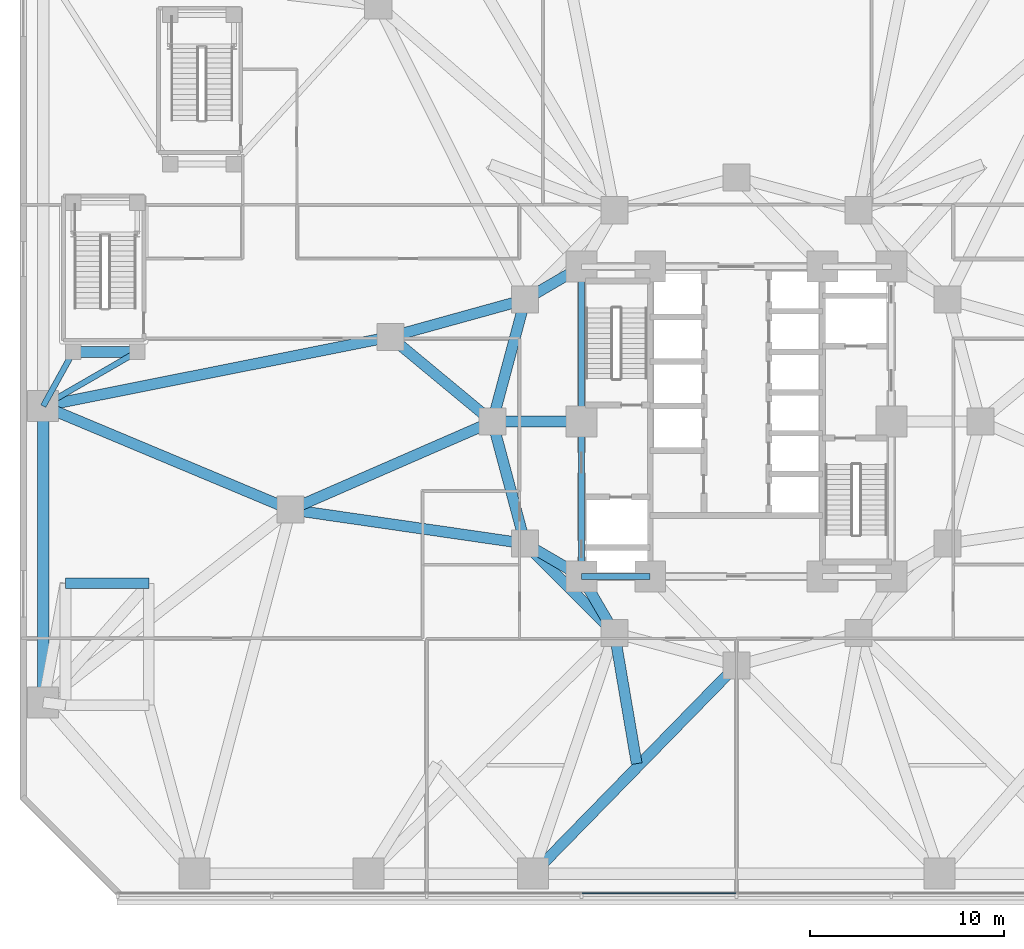
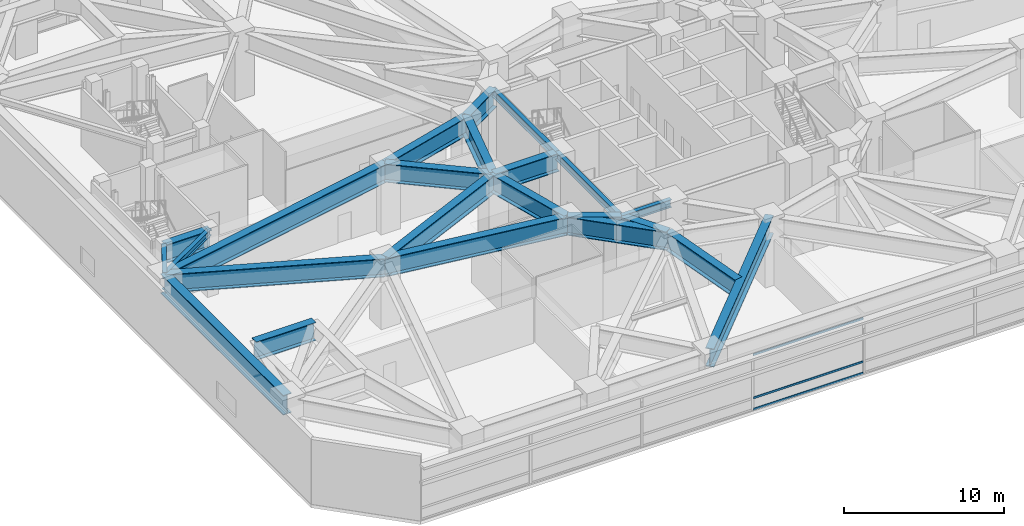
# One storey, part 6 of 27: 23 beams, 3 members, 1 element without a shape of its own.
"""IFC4 building model written with IfcOpenShell, lengths in metres."""

from ifc_helpers import new_model, si_unit, direction, frame, origin, origin_2d, place, context, subcontext, project, spatial, rectangle, i_section, extrude, material, layer, layer_set, material_profile, profile_set, type_object, element, aggregate, save


model = new_model("IFC4")

# Units and contexts
model_context = context("Model", 3, precision=1e-05, world=origin(), true_north=direction((0.0, 1.0)))
body_context = subcontext(model_context, "Body", "Model", "MODEL_VIEW")
ifc_project = project(units=[si_unit("LENGTHUNIT", "METRE"), si_unit("AREAUNIT", "SQUARE_METRE"), si_unit("VOLUMEUNIT", "CUBIC_METRE"), si_unit("PLANEANGLEUNIT", "RADIAN"), si_unit("MASSUNIT", "GRAM", prefix="KILO")], contexts=[model_context])

# Site, building, storey
site_placement = place(None, origin())
site = spatial("IfcSite", under=ifc_project, at=site_placement, CompositionType="ELEMENT")
building_placement = place(site_placement, origin())
building = spatial("IfcBuilding", under=site, at=building_placement, Name="Terralouvre Media Tower", CompositionType="ELEMENT")
storey_placement = place(building_placement, frame((0.0, 0.0, 20.800048828125)))
storey = spatial("IfcBuildingStorey", under=building, at=storey_placement, Name="L04", CompositionType="ELEMENT", Elevation=20.800048828125)

# Curtain wall, members
ifc_material_1 = material(Name="Low-iron laminated double glazing with solar-control coating", Category="glass")
ifc_layer = layer(ifc_material_1, 0.1650390625, Name="Podium Broadcast Gallery Glazing CW-01")
ifc_layer_set = layer_set([ifc_layer], Name="Low-iron laminated double glazing with solar-control coating")
curtain_wall_type = type_object("IfcCurtainWallType", Name="Podium Broadcast Gallery Glazing CW-01", PredefinedType="NOTDEFINED", material=ifc_layer_set)
curtain_wall_placement = place(storey_placement, origin())
curtain_wall = element("IfcCurtainWall", 1, at=curtain_wall_placement, inside=storey, type_object=curtain_wall_type, Name="L04 Podium Curtain Wall F0", PredefinedType="NOTDEFINED")
ifc_material_2 = material(Name="Anodised extruded aluminium 6063-T6", Category="aluminium")
ifc_material_profile_1 = material_profile(ifc_material_2, rectangle(XDim=0.074951171875, YDim=0.14990234375, at=origin_2d()), Name="ALU 75x150")
ifc_profile_set_1 = profile_set([ifc_material_profile_1], Name="Anodised extruded aluminium 6063-T6")
member_type = type_object("IfcMemberType", Name="Curtain-Wall Horizontal Transom TR-150", PredefinedType="USERDEFINED", material=ifc_profile_set_1)
member_1_placement = place(storey_placement, frame((-7.96240234375, -24.360107421875, 0.037353515625), z_axis=(1.0, 0.0, 0.0), x_axis=(0.0, 1.0, 0.0)))
member_1 = element("IfcMember", 2, at=member_1_placement, type_object=member_type, Name="CW-01 transom 4.1", ObjectType="TRANSOM", PredefinedType="USERDEFINED", context=body_context, shape_type="SweptSolid", body=[
    extrude(rectangle(XDim=0.074951171875, YDim=0.14990234375, at=origin_2d()), origin(), (0.0, 0.0, 1.0), 7.9248046875),
])
member_2_placement = place(storey_placement, frame((-7.96240234375, -24.360107421875, 0.89990234375), z_axis=(1.0, 0.0, 0.0), x_axis=(0.0, 1.0, 0.0)))
member_2 = element("IfcMember", 3, at=member_2_placement, type_object=member_type, Name="CW-01 transom 4.2", ObjectType="TRANSOM", PredefinedType="USERDEFINED", context=body_context, shape_type="SweptSolid", body=[
    extrude(rectangle(XDim=0.074951171875, YDim=0.14990234375, at=origin_2d()), origin(), (0.0, 0.0, 1.0), 7.9248046875),
])
member_3_placement = place(storey_placement, frame((-7.96240234375, -24.360107421875, 4.182373046875), z_axis=(1.0, 0.0, 0.0), x_axis=(0.0, 1.0, 0.0)))
member_3 = element("IfcMember", 4, at=member_3_placement, type_object=member_type, Name="CW-01 transom 4.3", ObjectType="TRANSOM", PredefinedType="USERDEFINED", context=body_context, shape_type="SweptSolid", body=[
    extrude(rectangle(XDim=0.074951171875, YDim=0.14990234375, at=origin_2d()), origin(), (0.0, 0.0, 1.0), 7.9248046875),
])
aggregate(curtain_wall, [member_1, member_2, member_3])

# Beams
ifc_material_3 = material(Name="Structural steel S355J2", Category="steel")
ifc_material_profile_2 = material_profile(ifc_material_3, i_section(OverallWidth=0.300048828125, OverallDepth=0.5, WebThickness=0.014404296875, FlangeThickness=0.028076171875, at=origin_2d()), Name="HEB 500")
ifc_profile_set_2 = profile_set([ifc_material_profile_2], Name="Structural steel S355J2")
beam_type_1 = type_object("IfcBeamType", Name="Primary Floor Girder B-HEB500 (HEB 500)", PredefinedType="BEAM", material=ifc_profile_set_2)
beam_1_placement = place(storey_placement, frame((-34.25, 3.60009765625, 4.68994140625), z_axis=(-0.484321096397, -0.874890322032, 0.0), x_axis=(0.874890322032, -0.484321096397, 0.0)))
element("IfcBeam", 5, at=beam_1_placement, inside=storey, type_object=beam_type_1, Name="L04 Framing Beam BM-L04-PVTST31", PredefinedType="BEAM", context=body_context, shape_type="SweptSolid", body=[
    extrude(i_section(OverallWidth=0.300048828125, OverallDepth=0.5, WebThickness=0.014404296875, FlangeThickness=0.028076171875, at=origin_2d()), origin(), (0.0, 0.0, 1.0), 3.200439453125),
])
beam_2_placement = place(storey_placement, frame((-30.949951171875, 3.60009765625, 4.68994140625), z_axis=(-0.866037493094, -0.499979060117, 0.0), x_axis=(0.499979060117, -0.866037493094, 0.0)))
element("IfcBeam", 6, at=beam_2_placement, inside=storey, type_object=beam_type_1, Name="L04 Framing Beam BM-L04-PVTST32", PredefinedType="BEAM", context=body_context, shape_type="SweptSolid", body=[
    extrude(i_section(OverallWidth=0.300048828125, OverallDepth=0.5, WebThickness=0.014404296875, FlangeThickness=0.028076171875, at=origin_2d()), origin(), (0.0, 0.0, 1.0), 5.600341796875),
])
ifc_material_4 = material(Name="Structural steel S460M", Category="steel")
ifc_material_profile_3 = material_profile(ifc_material_4, i_section(OverallWidth=0.300048828125, OverallDepth=0.60009765625, WebThickness=0.015380859375, FlangeThickness=0.030029296875, at=origin_2d()), Name="HEB 600")
ifc_profile_set_3 = profile_set([ifc_material_profile_3], Name="Structural steel S460M")
beam_type_2 = type_object("IfcBeamType", Name="Primary Floor Girder B-HEB600 (HEB 600)", PredefinedType="BEAM", material=ifc_profile_set_3)
beam_3_placement = place(storey_placement, frame((-8.0, -8.0, 4.639892578125), z_axis=(1.0, 0.0, 0.0), x_axis=(0.0, 1.0, 0.0)))
element("IfcBeam", 7, at=beam_3_placement, inside=storey, type_object=beam_type_2, Name="L04 Framing Beam BM-L04-CPR01", PredefinedType="BEAM", context=body_context, shape_type="SweptSolid", body=[
    extrude(i_section(OverallWidth=0.300048828125, OverallDepth=0.60009765625, WebThickness=0.015380859375, FlangeThickness=0.030029296875, at=origin_2d()), origin(), (0.0, 0.0, 1.0), 3.550048828125),
])
for number, where, z_axis, x_axis, name in (
    (8, (-8.0, 8.0, 4.639892578125), (0.0, -1.0, 0.0), (1.0, 0.0, 0.0), "L04 Framing Beam BM-L04-CPR09"),
    (9, (-8.0, 0.0, 4.639892578125), (0.0, -1.0, 0.0), (1.0, 0.0, 0.0), "L04 Framing Beam BM-L04-CPR10"),
):
    element("IfcBeam", number, at=place(storey_placement, frame(where, z_axis=z_axis, x_axis=x_axis)), inside=storey, type_object=beam_type_2, Name=name, PredefinedType="BEAM", context=body_context, shape_type="SweptSolid", body=[
        extrude(i_section(OverallWidth=0.300048828125, OverallDepth=0.60009765625, WebThickness=0.015380859375, FlangeThickness=0.030029296875, at=origin_2d()), origin(), (0.0, 0.0, 1.0), 8.0),
    ])
ifc_material_5 = material(Name="Structural steel S460M", Category="steel")
ifc_material_profile_4 = material_profile(ifc_material_5, i_section(OverallWidth=0.56005859375, OverallDepth=1.39990234375, WebThickness=0.031982421875, FlangeThickness=0.050048828125, at=origin_2d()), Name="TG 1400x560")
ifc_profile_set_4 = profile_set([ifc_material_profile_4], Name="Structural steel S460M")
beam_type_3 = type_object("IfcBeamType", Name="Welded Transfer Girder TG-1400 (TG 1400x560)", PredefinedType="USERDEFINED", material=ifc_profile_set_4)
beam_4_placement = place(storey_placement, frame((-34.25, 3.60009765625, 4.239990234375), z_axis=(1.0, 0.0, 0.0), x_axis=(0.0, 1.0, 0.0)))
element("IfcBeam", 10, at=beam_4_placement, inside=storey, type_object=beam_type_3, Name="L04 Framing Beam BM-L04-PVST31", ObjectType="TRANSFER GIRDER", PredefinedType="USERDEFINED", context=body_context, shape_type="SweptSolid", body=[
    extrude(i_section(OverallWidth=0.56005859375, OverallDepth=1.39990234375, WebThickness=0.031982421875, FlangeThickness=0.050048828125, at=origin_2d()), origin(), (0.0, 0.0, 1.0), 3.300048828125),
])
beam_5_placement = place(storey_placement, frame((-10.911865234375, -6.300048828125, 4.239990234375), z_axis=(0.707106781187, -0.707106781187, 0.0), x_axis=(0.707106781187, 0.707106781187, 0.0)))
element("IfcBeam", 11, at=beam_5_placement, inside=storey, type_object=beam_type_3, Name="L04 Framing Beam BM-L04-MR01", ObjectType="TRANSFER GIRDER", PredefinedType="USERDEFINED", context=body_context, shape_type="SweptSolid", body=[
    extrude(i_section(OverallWidth=0.56005859375, OverallDepth=1.39990234375, WebThickness=0.031982421875, FlangeThickness=0.050048828125, at=origin_2d()), origin(), (0.0, 0.0, 1.0), 6.52197265625),
])
for number, where, z_axis, x_axis, name in (
    (12, (-10.911865234375, 6.300048828125, 4.239990234375), (-0.258838989821, -0.965920481897, 0.0), (0.965920481897, -0.258838989821, 0.0), "L04 Framing Beam BM-L04-MR11"),
    (13, (-12.60009765625, 0.0, 4.239990234375), (0.258838989821, -0.965920481897, 0.0), (0.965920481897, 0.258838989821, 0.0), "L04 Framing Beam BM-L04-MR12"),
):
    element("IfcBeam", number, at=place(storey_placement, frame(where, z_axis=z_axis, x_axis=x_axis)), inside=storey, type_object=beam_type_3, Name=name, ObjectType="TRANSFER GIRDER", PredefinedType="USERDEFINED", context=body_context, shape_type="SweptSolid", body=[
        extrude(i_section(OverallWidth=0.56005859375, OverallDepth=1.39990234375, WebThickness=0.031982421875, FlangeThickness=0.050048828125, at=origin_2d()), origin(), (0.0, 0.0, 1.0), 6.522216796875),
    ])
for number, where, z_axis, x_axis, name in (
    (14, (-8.0, -8.0, 4.239990234375), (-0.863602894532, 0.504172629717, 0.0), (-0.504172629717, -0.863602894532, 0.0), "L04 Framing Beam BM-L04-CM01"),
    (15, (-8.0, -8.0, 4.239990234375), (0.504172629717, -0.863602894532, 0.0), (0.863602894532, 0.504172629717, 0.0), "L04 Framing Beam BM-L04-CM02"),
    (16, (-8.0, 8.0, 4.239990234375), (-0.863602894532, -0.504172629717, 0.0), (0.504172629717, -0.863602894532, 0.0), "L04 Framing Beam BM-L04-CM11"),
):
    element("IfcBeam", number, at=place(storey_placement, frame(where, z_axis=z_axis, x_axis=x_axis)), inside=storey, type_object=beam_type_3, Name=name, ObjectType="TRANSFER GIRDER", PredefinedType="USERDEFINED", context=body_context, shape_type="SweptSolid", body=[
        extrude(i_section(OverallWidth=0.56005859375, OverallDepth=1.39990234375, WebThickness=0.031982421875, FlangeThickness=0.050048828125, at=origin_2d()), origin(), (0.0, 0.0, 1.0), 3.371826171875),
    ])
beam_6_placement = place(storey_placement, frame((-8.0, 0.0, 4.239990234375), z_axis=(-1.0, 0.0, 0.0), x_axis=(0.0, -1.0, 0.0)))
element("IfcBeam", 17, at=beam_6_placement, inside=storey, type_object=beam_type_3, Name="L04 Framing Beam BM-L04-CM12", ObjectType="TRANSFER GIRDER", PredefinedType="USERDEFINED", context=body_context, shape_type="SweptSolid", body=[
    extrude(i_section(OverallWidth=0.56005859375, OverallDepth=1.39990234375, WebThickness=0.031982421875, FlangeThickness=0.050048828125, at=origin_2d()), origin(), (0.0, 0.0, 1.0), 4.60009765625),
])
beam_7_placement = place(storey_placement, frame((-12.60009765625, 0.0, 4.239990234375), z_axis=(-0.769816459478, 0.638265320001, 0.0), x_axis=(-0.638265320001, -0.769816459478, 0.0)))
element("IfcBeam", 18, at=beam_7_placement, inside=storey, type_object=beam_type_3, Name="L04 Framing Beam BM-L04-PM23M1", ObjectType="TRANSFER GIRDER", PredefinedType="USERDEFINED", context=body_context, shape_type="SweptSolid", body=[
    extrude(i_section(OverallWidth=0.56005859375, OverallDepth=1.39990234375, WebThickness=0.031982421875, FlangeThickness=0.050048828125, at=origin_2d()), origin(), (0.0, 0.0, 1.0), 6.851806640625),
])
beam_8_placement = place(storey_placement, frame((-10.911865234375, 6.300048828125, 4.239990234375), z_axis=(-0.963780816717, -0.266695589254, 0.0), x_axis=(0.266695589254, -0.963780816717, 0.0)))
element("IfcBeam", 19, at=beam_8_placement, inside=storey, type_object=beam_type_3, Name="L04 Framing Beam BM-L04-PM23M2", ObjectType="TRANSFER GIRDER", PredefinedType="USERDEFINED", context=body_context, shape_type="SweptSolid", body=[
    extrude(i_section(OverallWidth=0.56005859375, OverallDepth=1.39990234375, WebThickness=0.031982421875, FlangeThickness=0.050048828125, at=origin_2d()), origin(), (0.0, 0.0, 1.0), 7.224609375),
])
beam_9_placement = place(storey_placement, frame((-12.60009765625, 0.0, 4.239990234375), z_axis=(-0.916615903868, -0.399769039291, 0.0), x_axis=(0.399769039291, -0.916615903868, 0.0)))
element("IfcBeam", 20, at=beam_9_placement, inside=storey, type_object=beam_type_3, Name="L04 Framing Beam BM-L04-PM24M1", ObjectType="TRANSFER GIRDER", PredefinedType="USERDEFINED", context=body_context, shape_type="SweptSolid", body=[
    extrude(i_section(OverallWidth=0.56005859375, OverallDepth=1.39990234375, WebThickness=0.031982421875, FlangeThickness=0.050048828125, at=origin_2d()), origin(), (0.0, 0.0, 1.0), 11.373046875),
])
beam_10_placement = place(storey_placement, frame((-10.911865234375, -6.300048828125, 4.239990234375), z_axis=(-0.989684877742, 0.143261448996, 0.0), x_axis=(-0.143261448996, -0.989684877742, 0.0)))
element("IfcBeam", 21, at=beam_10_placement, inside=storey, type_object=beam_type_3, Name="L04 Framing Beam BM-L04-PM24M2", ObjectType="TRANSFER GIRDER", PredefinedType="USERDEFINED", context=body_context, shape_type="SweptSolid", body=[
    extrude(i_section(OverallWidth=0.56005859375, OverallDepth=1.39990234375, WebThickness=0.031982421875, FlangeThickness=0.050048828125, at=origin_2d()), origin(), (0.0, 0.0, 1.0), 12.2392578125),
])
beam_11_placement = place(storey_placement, frame((-23.02490234375, -4.546630859375, 4.239990234375), z_axis=(-0.922468147364, 0.386073201737, 0.0), x_axis=(-0.386073201737, -0.922468147364, 0.0)))
element("IfcBeam", 22, at=beam_11_placement, inside=storey, type_object=beam_type_3, Name="L04 Framing Beam BM-L04-PM24P1", ObjectType="TRANSFER GIRDER", PredefinedType="USERDEFINED", context=body_context, shape_type="SweptSolid", body=[
    extrude(i_section(OverallWidth=0.56005859375, OverallDepth=1.39990234375, WebThickness=0.031982421875, FlangeThickness=0.050048828125, at=origin_2d()), origin(), (0.0, 0.0, 1.0), 13.848876953125),
])
beam_12_placement = place(storey_placement, frame((-17.874755859375, 4.373291015625, 4.239990234375), z_axis=(-0.980704802412, -0.19549447697, 0.0), x_axis=(0.19549447697, -0.980704802412, 0.0)))
element("IfcBeam", 23, at=beam_12_placement, inside=storey, type_object=beam_type_3, Name="L04 Framing Beam BM-L04-RD18", ObjectType="TRANSFER GIRDER", PredefinedType="USERDEFINED", context=body_context, shape_type="SweptSolid", body=[
    extrude(i_section(OverallWidth=0.56005859375, OverallDepth=1.39990234375, WebThickness=0.031982421875, FlangeThickness=0.050048828125, at=origin_2d()), origin(), (0.0, 0.0, 1.0), 18.278076171875),
])
beam_13_placement = place(storey_placement, frame((0.0, -12.60009765625, 4.239990234375), z_axis=(-0.698739523875, -0.715376179206, 0.0), x_axis=(0.715376179206, -0.698739523875, 0.0)))
element("IfcBeam", 24, at=beam_13_placement, inside=storey, type_object=beam_type_3, Name="L04 Framing Beam BM-L04-TRC02", ObjectType="TRANSFER GIRDER", PredefinedType="USERDEFINED", context=body_context, shape_type="SweptSolid", body=[
    extrude(i_section(OverallWidth=0.56005859375, OverallDepth=1.39990234375, WebThickness=0.031982421875, FlangeThickness=0.050048828125, at=origin_2d()), origin(), (0.0, 0.0, 1.0), 15.027099609375),
])
beam_14_placement = place(storey_placement, frame((-5.14990234375, -17.666748046875, 4.239990234375), z_axis=(-0.167853129882, 0.98581201392, 0.0), x_axis=(-0.98581201392, -0.167853129882, 0.0)))
element("IfcBeam", 25, at=beam_14_placement, inside=storey, type_object=beam_type_3, Name="L04 Framing Beam BM-L04-TR02S1", ObjectType="TRANSFER GIRDER", PredefinedType="USERDEFINED", context=body_context, shape_type="SweptSolid", body=[
    extrude(i_section(OverallWidth=0.56005859375, OverallDepth=1.39990234375, WebThickness=0.031982421875, FlangeThickness=0.050048828125, at=origin_2d()), origin(), (0.0, 0.0, 1.0), 6.85205078125),
])
beam_15_placement = place(storey_placement, frame((-30.35009765625, -8.35009765625, 4.239990234375), z_axis=(-1.0, 0.0, 0.0), x_axis=(0.0, -1.0, 0.0)))
element("IfcBeam", 26, at=beam_15_placement, inside=storey, type_object=beam_type_3, Name="L04 Framing Beam BM-L04-PVR03", ObjectType="TRANSFER GIRDER", PredefinedType="USERDEFINED", context=body_context, shape_type="SweptSolid", body=[
    extrude(i_section(OverallWidth=0.56005859375, OverallDepth=1.39990234375, WebThickness=0.031982421875, FlangeThickness=0.050048828125, at=origin_2d()), origin(), (0.0, 0.0, 1.0), 4.2998046875),
])
ifc_material_6 = material(Name="Structural steel S460M", Category="steel")
ifc_material_profile_5 = material_profile(ifc_material_6, i_section(OverallWidth=0.60009765625, OverallDepth=1.5, WebThickness=0.033935546875, FlangeThickness=0.054931640625, at=origin_2d()), Name="PG 1500x600")
ifc_profile_set_5 = profile_set([ifc_material_profile_5], Name="Structural steel S460M")
beam_type_4 = type_object("IfcBeamType", Name="Welded Transfer Girder TG-1500 (PG 1500x600)", PredefinedType="USERDEFINED", material=ifc_profile_set_5)
beam_16_placement = place(storey_placement, frame((-35.800048828125, 0.800048828125, 4.18994140625), z_axis=(0.0, -1.0, 0.0), x_axis=(1.0, 0.0, 0.0)))
element("IfcBeam", 27, at=beam_16_placement, inside=storey, type_object=beam_type_4, Name="L04 Framing Beam BM-L04-PR18", ObjectType="TRANSFER GIRDER", PredefinedType="USERDEFINED", context=body_context, shape_type="SweptSolid", body=[
    extrude(i_section(OverallWidth=0.60009765625, OverallDepth=1.5, WebThickness=0.033935546875, FlangeThickness=0.054931640625, at=origin_2d()), origin(), (0.0, 0.0, 1.0), 15.300048828125),
])

save(model, "model.ifc")
